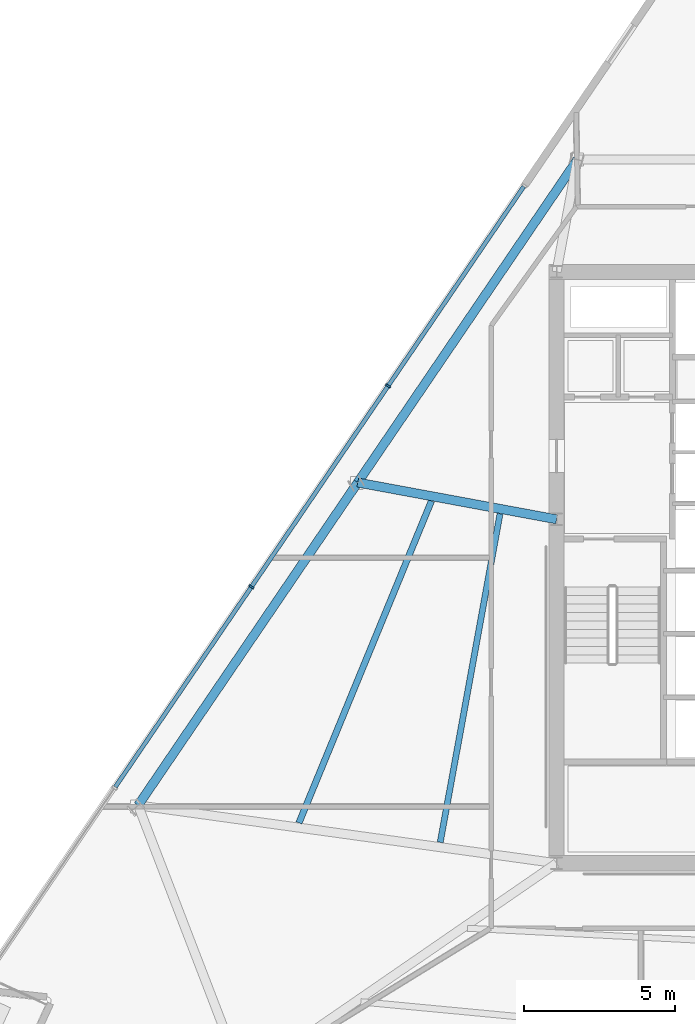
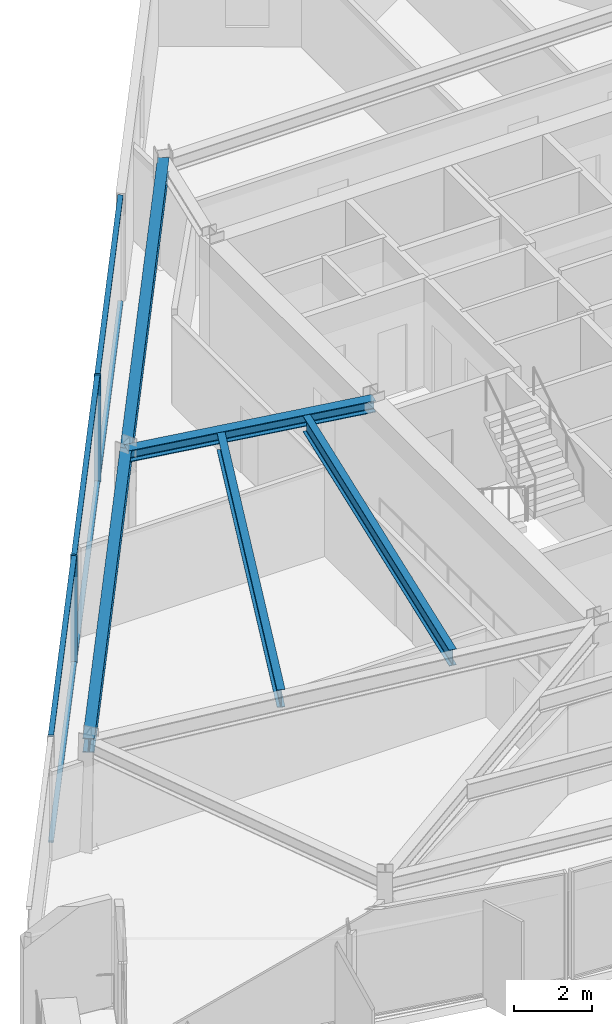
# One storey, part 3 of 15: 8 members, 5 beams, 1 element without a shape of its own.
"""IFC4 building model written with IfcOpenShell, lengths in metres."""

from ifc_helpers import new_model, si_unit, direction, frame, origin, origin_2d, place, context, subcontext, project, spatial, rectangle, i_section, extrude, material, material_profile, profile_set, type_object, element, aggregate, save


model = new_model("IFC4")

# Units and contexts
model_context = context("Model", 3, precision=1e-05, world=origin(), true_north=direction((0.0, 1.0)))
body_context = subcontext(model_context, "Body", "Model", "MODEL_VIEW")
ifc_project = project(units=[si_unit("LENGTHUNIT", "METRE"), si_unit("AREAUNIT", "SQUARE_METRE"), si_unit("VOLUMEUNIT", "CUBIC_METRE"), si_unit("PLANEANGLEUNIT", "RADIAN"), si_unit("MASSUNIT", "GRAM", prefix="KILO")], contexts=[model_context])

# Site, building, storey
site_placement = place(None, origin())
site = spatial("IfcSite", under=ifc_project, at=site_placement, CompositionType="ELEMENT")
building_placement = place(site_placement, origin())
building = spatial("IfcBuilding", under=site, at=building_placement, Name="Savorim Split Tower", CompositionType="ELEMENT")
storey_placement = place(building_placement, frame((0.0, 0.0, 138.60009765625)))
storey = spatial("IfcBuildingStorey", under=building, at=storey_placement, Name="L36", CompositionType="ELEMENT", Elevation=138.60009765625)

# Beams
ifc_material_1 = material(Name="Steel S355", Category="steel")
ifc_material_profile_1 = material_profile(ifc_material_1, i_section(OverallWidth=0.199951171875, OverallDepth=0.5, WebThickness=0.01025390625, FlangeThickness=0.01611328125, FilletRadius=0.02099609375, at=origin_2d()), Name="IPE 500")
ifc_profile_set_1 = profile_set([ifc_material_profile_1], Name="Steel S355")
beam_type_1 = type_object("IfcBeamType", Name="BM-JST-IPE500", PredefinedType="JOIST", material=ifc_profile_set_1)
beam_1_placement = place(storey_placement, frame((-9.573486328125, 2.18359375, 3.099853515625), z_axis=(-0.178982494635, -0.98385225853, 0.0), x_axis=(0.98385225853, -0.178982494635, 0.0)))
element("IfcBeam", 1, at=beam_1_placement, inside=storey, type_object=beam_type_1, Name="L36 Secondary Floor Joist JS-11", PredefinedType="JOIST", context=body_context, shape_type="SweptSolid", body=[
    extrude(i_section(OverallWidth=0.199951171875, OverallDepth=0.5, WebThickness=0.01025390625, FlangeThickness=0.01611328125, FilletRadius=0.02099609375, at=origin_2d()), origin(), (0.0, 0.0, 1.0), 11.06787109375),
])
ifc_material_profile_2 = material_profile(ifc_material_1, i_section(OverallWidth=0.2099609375, OverallDepth=0.550048828125, WebThickness=0.010986328125, FlangeThickness=0.01708984375, FilletRadius=0.02392578125, at=origin_2d()), Name="IPE 550")
ifc_profile_set_2 = profile_set([ifc_material_profile_2], Name="Steel S355")
beam_type_2 = type_object("IfcBeamType", Name="BM-JST-IPE550", PredefinedType="JOIST", material=ifc_profile_set_2)
beam_2_placement = place(storey_placement, frame((-11.84619140625, 2.607177734375, 3.074951171875), z_axis=(-0.380573136018, -0.924750824894, 0.0), x_axis=(0.924750824894, -0.380573136018, 0.0)))
element("IfcBeam", 2, at=beam_2_placement, inside=storey, type_object=beam_type_2, Name="L36 Secondary Floor Joist JS-10", PredefinedType="JOIST", context=body_context, shape_type="SweptSolid", body=[
    extrude(i_section(OverallWidth=0.2099609375, OverallDepth=0.550048828125, WebThickness=0.010986328125, FlangeThickness=0.01708984375, FilletRadius=0.02392578125, at=origin_2d()), origin(), (0.0, 0.0, 1.0), 11.5380859375),
])
ifc_material_profile_3 = material_profile(ifc_material_1, i_section(OverallWidth=0.300048828125, OverallDepth=0.360107421875, WebThickness=0.012451171875, FlangeThickness=0.0224609375, FilletRadius=0.027099609375, at=origin_2d()), Name="HEB 360")
ifc_profile_set_3 = profile_set([ifc_material_profile_3], Name="Steel S355")
beam_type_3 = type_object("IfcBeamType", Name="BM-PRI-HEB360", PredefinedType="BEAM", material=ifc_profile_set_3)
beam_3_placement = place(storey_placement, frame((-14.2890625, 3.218017578125, 3.169921875), z_axis=(0.983340424027, -0.181773514227, 0.0), x_axis=(0.181773514227, 0.983340424027, 0.0)))
element("IfcBeam", 3, at=beam_3_placement, inside=storey, type_object=beam_type_3, Name="L36 Primary Floor Girder RG-09", PredefinedType="BEAM", context=body_context, shape_type="SweptSolid", body=[
    extrude(i_section(OverallWidth=0.300048828125, OverallDepth=0.360107421875, WebThickness=0.012451171875, FlangeThickness=0.0224609375, FilletRadius=0.027099609375, at=origin_2d()), origin(), (0.0, 0.0, 1.0), 6.70068359375),
])
ifc_material_profile_4 = material_profile(ifc_material_1, i_section(OverallWidth=0.300048828125, OverallDepth=0.43994140625, WebThickness=0.011474609375, FlangeThickness=0.02099609375, FilletRadius=0.027099609375, at=origin_2d()), Name="HEA 450")
ifc_profile_set_4 = profile_set([ifc_material_profile_4], Name="Steel S355")
beam_type_4 = type_object("IfcBeamType", Name="BM-SPN-HEA450", PredefinedType="SPANDREL", material=ifc_profile_set_4)
for number, where, z_axis, x_axis, name in (
    (4, (-7.01025390625, 13.91796875, 3.1298828125), (-0.562460173544, -0.826824378678, 0.0), (0.826824378678, -0.562460173544, 0.0), "L36 Perimeter Spandrel Beam 8"),
    (5, (-14.2890625, 3.218017578125, 3.1298828125), (-0.562481844312, -0.826809636385, 0.0), (0.826809636385, -0.562481844312, 0.0), "L36 Perimeter Spandrel Beam 9"),
):
    element("IfcBeam", number, at=place(storey_placement, frame(where, z_axis=z_axis, x_axis=x_axis)), inside=storey, type_object=beam_type_4, Name=name, PredefinedType="SPANDREL", context=body_context, shape_type="SweptSolid", body=[
        extrude(i_section(OverallWidth=0.300048828125, OverallDepth=0.43994140625, WebThickness=0.011474609375, FlangeThickness=0.02099609375, FilletRadius=0.027099609375, at=origin_2d()), origin(), (0.0, 0.0, 1.0), 12.94091796875),
    ])

# Curtain wall, members
ifc_material_2 = material(Name="Dark Ceramic-Fritted Insulated Glass", Category="glass")
curtain_wall_type = type_object("IfcCurtainWallType", Name="CW-TWR-FRIT-A", PredefinedType="NOTDEFINED", material=ifc_material_2)
curtain_wall_placement = place(storey_placement, origin())
curtain_wall = element("IfcCurtainWall", 6, at=curtain_wall_placement, inside=storey, type_object=curtain_wall_type, Name="L36 Curtain Wall CW-L36-WEST", PredefinedType="NOTDEFINED")
ifc_material_3 = material(Name="Charcoal Anodised Aluminium", Category="aluminium")
ifc_material_profile_5 = material_profile(ifc_material_3, rectangle(XDim=0.179931640625, YDim=0.06494140625, at=origin_2d()), Name="ALU-M 180x65")
ifc_profile_set_5 = profile_set([ifc_material_profile_5], Name="Charcoal Anodised Aluminium")
member_type_1 = type_object("IfcMemberType", Name="CWM-180x65", PredefinedType="MULLION", material=ifc_profile_set_5)
member_1_placement = place(storey_placement, frame((-13.281494140625, 6.42041015625, 0.0), z_axis=(0.0, 0.0, 1.0), x_axis=(0.826820104662, -0.562466456356, 0.0)))
member_1 = element("IfcMember", 7, at=member_1_placement, type_object=member_type_1, Name="CW-02 mullion 2", PredefinedType="MULLION", context=body_context, shape_type="SweptSolid", body=[
    extrude(rectangle(XDim=0.179931640625, YDim=0.06494140625, at=origin_2d()), origin(), (0.0, 0.0, 1.0), 3.349853515625),
])
member_2_placement = place(storey_placement, frame((-17.8125, -0.240234375, 0.0), z_axis=(0.0, 0.0, 1.0), x_axis=(0.826820104662, -0.562466456356, 0.0)))
member_2 = element("IfcMember", 8, at=member_2_placement, type_object=member_type_1, Name="CW-02 mullion 3", PredefinedType="MULLION", context=body_context, shape_type="SweptSolid", body=[
    extrude(rectangle(XDim=0.179931640625, YDim=0.06494140625, at=origin_2d()), origin(), (0.0, 0.0, 1.0), 3.349853515625),
])
ifc_material_profile_6 = material_profile(ifc_material_3, rectangle(XDim=0.139892578125, YDim=0.054931640625, at=origin_2d()), Name="ALU-T 140x55")
ifc_profile_set_6 = profile_set([ifc_material_profile_6], Name="Charcoal Anodised Aluminium")
member_type_2 = type_object("IfcMemberType", Name="CWT-140x55", PredefinedType="USERDEFINED", material=ifc_profile_set_6)
member_3_placement = place(storey_placement, frame((-8.787109375, 13.027099609375, 0.02734375), z_axis=(-0.562463573117, -0.826822066056, 0.0), x_axis=(0.826822066056, -0.562463573117, 0.0)))
member_3 = element("IfcMember", 9, at=member_3_placement, type_object=member_type_2, Name="CW-02 transom 1.1", ObjectType="TRANSOM", PredefinedType="USERDEFINED", context=body_context, shape_type="SweptSolid", body=[
    extrude(rectangle(XDim=0.139892578125, YDim=0.054931640625, at=origin_2d()), origin(), (0.0, 0.0, 1.0), 7.9580078125),
])
member_4_placement = place(storey_placement, frame((-8.787109375, 13.027099609375, 3.322509765625), z_axis=(-0.562463573117, -0.826822066056, 0.0), x_axis=(0.826822066056, -0.562463573117, 0.0)))
member_4 = element("IfcMember", 10, at=member_4_placement, type_object=member_type_2, Name="CW-02 transom 1.2", ObjectType="TRANSOM", PredefinedType="USERDEFINED", context=body_context, shape_type="SweptSolid", body=[
    extrude(rectangle(XDim=0.139892578125, YDim=0.054931640625, at=origin_2d()), origin(), (0.0, 0.0, 1.0), 7.9580078125),
])
member_5_placement = place(storey_placement, frame((-13.2998046875, 6.3935546875, 0.02734375), z_axis=(-0.562452917509, -0.826829314663, 0.0), x_axis=(0.826829314663, -0.562452917509, 0.0)))
member_5 = element("IfcMember", 11, at=member_5_placement, type_object=member_type_2, Name="CW-02 transom 2.1", ObjectType="TRANSOM", PredefinedType="USERDEFINED", context=body_context, shape_type="SweptSolid", body=[
    extrude(rectangle(XDim=0.139892578125, YDim=0.054931640625, at=origin_2d()), origin(), (0.0, 0.0, 1.0), 7.99072265625),
])
member_6_placement = place(storey_placement, frame((-13.2998046875, 6.3935546875, 3.322509765625), z_axis=(-0.562452917509, -0.826829314663, 0.0), x_axis=(0.826829314663, -0.562452917509, 0.0)))
member_6 = element("IfcMember", 12, at=member_6_placement, type_object=member_type_2, Name="CW-02 transom 2.2", ObjectType="TRANSOM", PredefinedType="USERDEFINED", context=body_context, shape_type="SweptSolid", body=[
    extrude(rectangle(XDim=0.139892578125, YDim=0.054931640625, at=origin_2d()), origin(), (0.0, 0.0, 1.0), 7.99072265625),
])
member_7_placement = place(storey_placement, frame((-17.830810546875, -0.26708984375, 0.02734375), z_axis=(-0.562467126605, -0.826819648707, 0.0), x_axis=(0.826819648707, -0.562467126605, 0.0)))
member_7 = element("IfcMember", 13, at=member_7_placement, type_object=member_type_2, Name="CW-02 transom 3.1", ObjectType="TRANSOM", PredefinedType="USERDEFINED", context=body_context, shape_type="SweptSolid", body=[
    extrude(rectangle(XDim=0.139892578125, YDim=0.054931640625, at=origin_2d()), origin(), (0.0, 0.0, 1.0), 7.990478515625),
])
member_8_placement = place(storey_placement, frame((-17.830810546875, -0.26708984375, 3.322509765625), z_axis=(-0.562467126605, -0.826819648707, 0.0), x_axis=(0.826819648707, -0.562467126605, 0.0)))
member_8 = element("IfcMember", 14, at=member_8_placement, type_object=member_type_2, Name="CW-02 transom 3.2", ObjectType="TRANSOM", PredefinedType="USERDEFINED", context=body_context, shape_type="SweptSolid", body=[
    extrude(rectangle(XDim=0.139892578125, YDim=0.054931640625, at=origin_2d()), origin(), (0.0, 0.0, 1.0), 7.990478515625),
])
aggregate(curtain_wall, [member_1, member_2, member_3, member_4, member_5, member_6, member_7, member_8])

save(model, "model.ifc")
